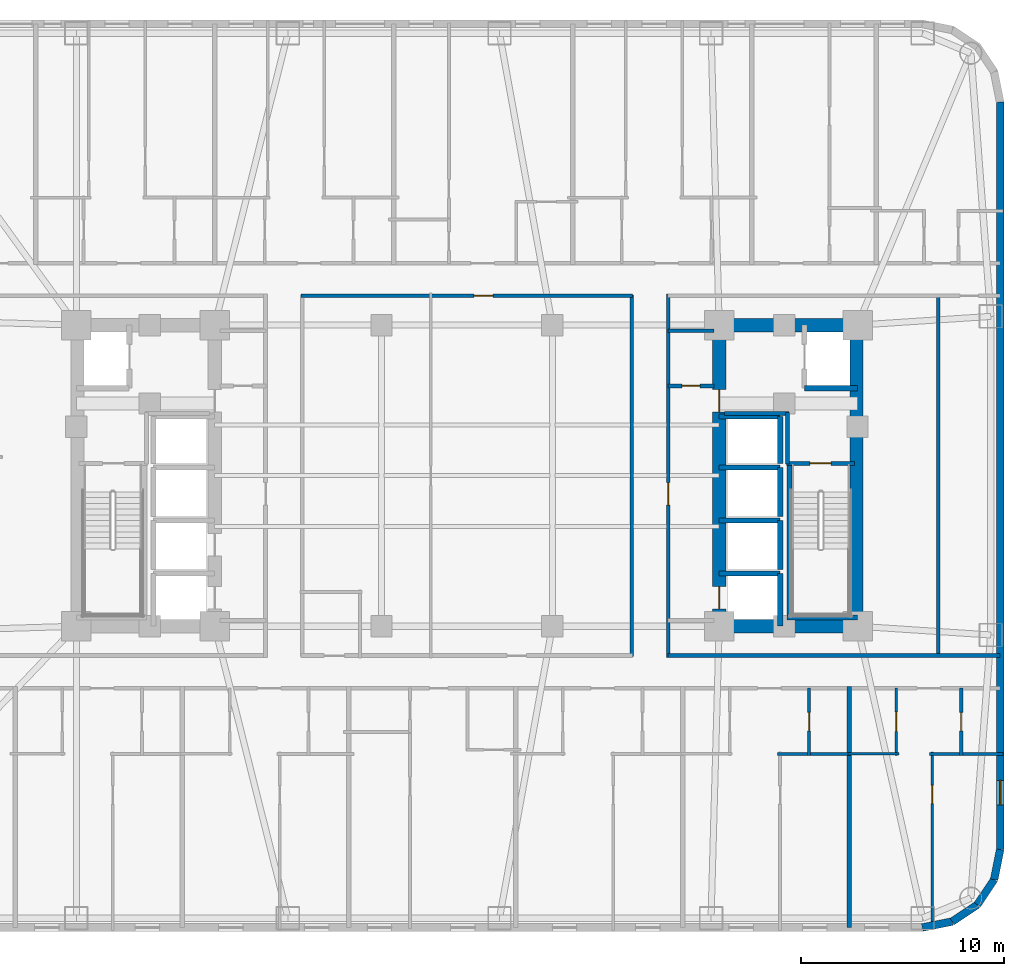
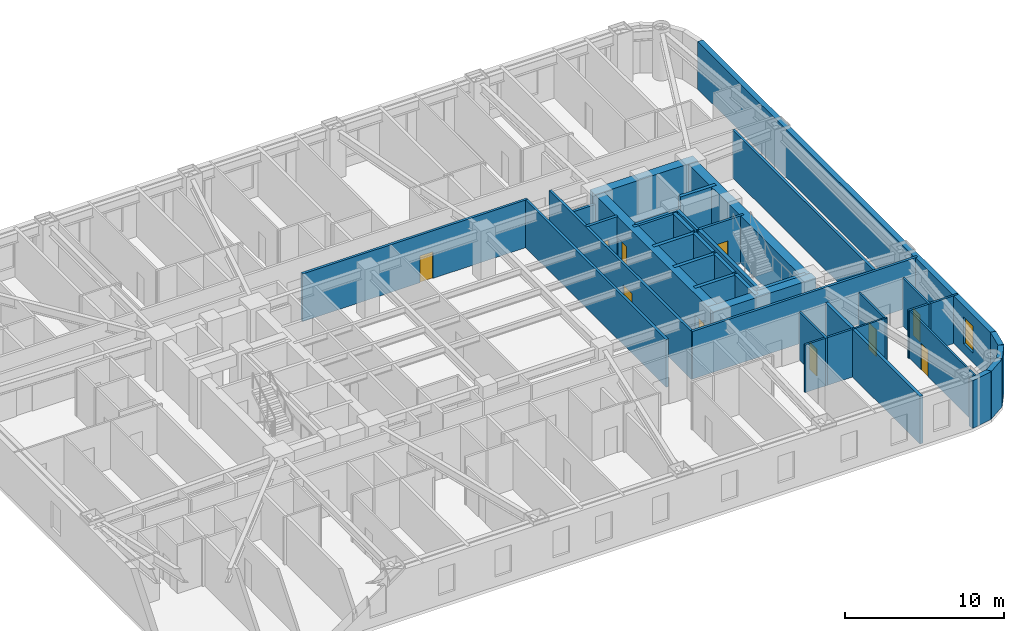
# One storey, part 6 of 12: 38 walls, 10 doors, 1 window, 11 openings.
"""IFC4 building model written with IfcOpenShell, lengths in metres."""

from ifc_helpers import new_model, si_unit, direction, frame, frame_2d, origin, place, context, subcontext, project, spatial, rectangle, extrude, material, layer, layer_set, type_object, element, fill, save


model = new_model("IFC4")

# Units and contexts
model_context = context("Model", 3, precision=1e-05, world=origin(), true_north=direction((0.0, 1.0)))
body_context = subcontext(model_context, "Body", "Model", "MODEL_VIEW")
ifc_project = project(units=[si_unit("LENGTHUNIT", "METRE"), si_unit("AREAUNIT", "SQUARE_METRE"), si_unit("VOLUMEUNIT", "CUBIC_METRE"), si_unit("PLANEANGLEUNIT", "RADIAN"), si_unit("MASSUNIT", "GRAM", prefix="KILO")], contexts=[model_context])

# Site, building, storey
site_placement = place(None, origin())
site = spatial("IfcSite", under=ifc_project, at=site_placement, CompositionType="ELEMENT")
building_placement = place(site_placement, origin())
building = spatial("IfcBuilding", under=site, at=building_placement, Name="Voryun Gate Residences", CompositionType="ELEMENT")
storey_placement = place(building_placement, frame((0.0, 0.0, 72.800048828125)))
storey = spatial("IfcBuildingStorey", under=building, at=storey_placement, Name="L17", CompositionType="ELEMENT", Elevation=72.800048828125)

# Walls
ifc_material_1 = material(Name="Concrete C60/75", Category="concrete")
ifc_layer_1 = layer(ifc_material_1, 0.64990234375, Name="CW_CORE_650")
ifc_layer_set_1 = layer_set([ifc_layer_1], Name="Concrete C60/75")
wall_type_1 = type_object("IfcWallType", Name="CW_CORE_650", PredefinedType="SHEAR", material=ifc_layer_set_1)
for number, where, z_axis, x_axis, name in (
    (1, (12.074951171875, -7.39990234375, 0.0), (0.0, 0.0, 1.0), (1.0, 0.0, 0.0), "L17 Core shear wall CW-L17-ES"),
    (2, (12.074951171875, 7.39990234375, 0.0), (0.0, 0.0, 1.0), (1.0, 0.0, 0.0), "L17 Core shear wall CW-L17-EN"),
):
    element("IfcWall", number, at=place(storey_placement, frame(where, z_axis=z_axis, x_axis=x_axis)), inside=storey, type_object=wall_type_1, Name=name, PredefinedType="SHEAR", context=body_context, shape_type="SweptSolid", body=[
        extrude(rectangle(XDim=7.449951171875, YDim=0.64990234375, at=frame_2d((3.72509765625, 0.0))), origin(), (0.0, 0.0, 1.0), 3.64990234375),
    ])

# Wall, openings, doors
wall_1_placement = place(storey_placement, frame((12.39990234375, -7.39990234375, 0.0), z_axis=(0.0, 0.0, 1.0), x_axis=(0.0, 1.0, 0.0)))
wall_1 = element("IfcWall", 3, at=wall_1_placement, inside=storey, type_object=wall_type_1, Name="L17 Core shear wall CW-L17-EW", PredefinedType="SHEAR", context=body_context, shape_type="SweptSolid", body=[
    extrude(rectangle(XDim=14.7998046875, YDim=0.64990234375, at=frame_2d((7.39990234375, 0.0))), origin(), (0.0, 0.0, 1.0), 3.64990234375),
])
opening_1_placement = place(wall_1_placement, frame((0.85009765625, 0.0, 0.0)))
opening_1 = element("IfcOpeningElement", 4, at=opening_1_placement, cuts=wall_1, Name="Opening LD2", PredefinedType="OPENING", context=body_context, shape_type="SweptSolid", body=[
    extrude(rectangle(XDim=1.10009765625, YDim=2.050048828125, at=frame_2d((0.550048828125, 1.02490234375))), frame((0.0, 0.3349609375, 0.0), z_axis=(0.0, -1.0, 0.0), x_axis=(1.0, 0.0, 0.0)), (0.0, 0.0, 1.0), 0.669921875),
])
opening_2_placement = place(wall_1_placement, frame((10.530029296875, 0.0, 0.0)))
opening_2 = element("IfcOpeningElement", 5, at=opening_2_placement, cuts=wall_1, Name="Opening D-FD60-2", PredefinedType="OPENING", context=body_context, shape_type="SweptSolid", body=[
    extrude(rectangle(XDim=1.10009765625, YDim=2.050048828125, at=frame_2d((0.550048828125, 1.02490234375))), frame((0.0, 0.3349609375, 0.0), z_axis=(0.0, -1.0, 0.0), x_axis=(1.0, 0.0, 0.0)), (0.0, 0.0, 1.0), 0.669921875),
])
ifc_material_2 = material(Name="Painted steel fire door", Category="steel")
door_type_1 = type_object("IfcDoorType", Name="DR_FD60_FFLOB_1100", OperationType="NOTDEFINED", PredefinedType="DOOR", material=ifc_material_2)
door_1_placement = place(opening_2_placement, origin())
door_1 = element("IfcDoor", 6, at=door_1_placement, inside=storey, type_object=door_type_1, Name="Door DR-L17-CLOB-E", OperationType="SINGLE_SWING_RIGHT", OverallHeight=2.050048828125, OverallWidth=1.10009765625, PredefinedType="DOOR", context=body_context, shape_type="SweptSolid", body=[
    extrude(rectangle(XDim=1.10009765625, YDim=2.050048828125, at=frame_2d((0.550048828125, 1.02490234375))), frame((0.0, 0.02490234375, 0.0), z_axis=(0.0, -1.0, 0.0), x_axis=(1.0, 0.0, 0.0)), (0.0, 0.0, 1.0), 0.050048828125),
])
fill(opening_2, door_1)
ifc_material_3 = material(Name="Anodised aluminium", Category="aluminium")
door_type_2 = type_object("IfcDoorType", Name="DR_LD_PASS_1100", OperationType="NOTDEFINED", PredefinedType="DOOR", material=ifc_material_3)
door_2_placement = place(opening_1_placement, origin())
door_2 = element("IfcDoor", 7, at=door_2_placement, inside=storey, type_object=door_type_2, Name="Lift EL-P3 sliding landing door L17", OperationType="SLIDING_TO_LEFT", OverallHeight=2.050048828125, OverallWidth=1.10009765625, PredefinedType="DOOR", context=body_context, shape_type="SweptSolid", body=[
    extrude(rectangle(XDim=1.10009765625, YDim=2.050048828125, at=frame_2d((0.550048828125, 1.02490234375))), frame((0.0, 0.02490234375, 0.0), z_axis=(0.0, -1.0, 0.0), x_axis=(1.0, 0.0, 0.0)), (0.0, 0.0, 1.0), 0.050048828125),
])
fill(opening_1, door_2)

# Wall
wall_2_placement = place(storey_placement, frame((19.14501953125, -7.39990234375, 0.0), z_axis=(0.0, 0.0, 1.0), x_axis=(0.0, 1.0, 0.0)))
element("IfcWall", 8, at=wall_2_placement, inside=storey, type_object=wall_type_1, Name="L17 Core shear wall CW-L17-EE", PredefinedType="SHEAR", context=body_context, shape_type="SweptSolid", body=[
    extrude(rectangle(XDim=14.7998046875, YDim=0.64990234375, at=frame_2d((7.39990234375, 0.0))), origin(), (0.0, 0.0, 1.0), 3.64990234375),
])

# Wall, opening, door
ifc_material_4 = material(Name="Gypsum acoustic fireboard")
ifc_layer_2 = layer(ifc_material_4, 0.179931640625, Name="W_CORR_RATED_180")
ifc_layer_set_2 = layer_set([ifc_layer_2], Name="Gypsum acoustic fireboard")
wall_type_2 = type_object("IfcWallType", Name="W_CORR_RATED_180", PredefinedType="PARTITIONING", material=ifc_layer_set_2)
wall_3_placement = place(storey_placement, frame((15.699951171875, 0.60009765625, 0.0), z_axis=(0.0, 0.0, 1.0), x_axis=(1.0, 0.0, 0.0)))
wall_3 = element("IfcWall", 9, at=wall_3_placement, inside=storey, type_object=wall_type_2, Name="Partition wall WP-L17-STV-E", PredefinedType="PARTITIONING", context=body_context, shape_type="SweptSolid", body=[
    extrude(rectangle(XDim=3.360107421875, YDim=0.179931640625, at=frame_2d((1.68017578125, 0.0))), origin(), (0.0, 0.0, 1.0), 3.64990234375),
])
opening_3_placement = place(wall_3_placement, frame((1.155029296875, 0.0, 0.0)))
opening_3 = element("IfcOpeningElement", 10, at=opening_3_placement, cuts=wall_3, Name="Opening D-FD60-1", PredefinedType="OPENING", context=body_context, shape_type="SweptSolid", body=[
    extrude(rectangle(XDim=1.050048828125, YDim=2.050048828125, at=frame_2d((0.52490234375, 1.02490234375))), frame((0.0, 0.099853515625, 0.0), z_axis=(0.0, -1.0, 0.0), x_axis=(1.0, 0.0, 0.0)), (0.0, 0.0, 1.0), 0.199951171875),
])
ifc_material_5 = material(Name="Painted steel fire door", Category="steel")
door_type_3 = type_object("IfcDoorType", Name="DR_FD60_STAIR_1050", OperationType="NOTDEFINED", PredefinedType="DOOR", material=ifc_material_5)
door_3_placement = place(opening_3_placement, origin())
door_3 = element("IfcDoor", 11, at=door_3_placement, inside=storey, type_object=door_type_3, Name="Door DR-L17-ST-E", OperationType="SINGLE_SWING_RIGHT", OverallHeight=2.050048828125, OverallWidth=1.050048828125, PredefinedType="DOOR", context=body_context, shape_type="SweptSolid", body=[
    extrude(rectangle(XDim=1.050048828125, YDim=2.050048828125, at=frame_2d((0.52490234375, 1.02490234375))), frame((0.0, 0.02490234375, 0.0), z_axis=(0.0, -1.0, 0.0), x_axis=(1.0, 0.0, 0.0)), (0.0, 0.0, 1.0), 0.050048828125),
])
fill(opening_3, door_3)

# Wall
wall_4_placement = place(storey_placement, frame((9.8798828125, 7.1201171875, 0.0), z_axis=(0.0, 0.0, 1.0), x_axis=(1.0, 0.0, 0.0)))
element("IfcWall", 12, at=wall_4_placement, inside=storey, type_object=wall_type_2, Name="Partition wall WP-L17-PLBN-E", PredefinedType="PARTITIONING", context=body_context, shape_type="SweptSolid", body=[
    extrude(rectangle(XDim=2.27001953125, YDim=0.179931640625, at=frame_2d((1.135009765625, 0.0))), origin(), (0.0, 0.0, 1.0), 2.93994140625),
])

# Wall, opening, door
wall_5_placement = place(storey_placement, frame((9.89990234375, -8.929931640625, 0.0), z_axis=(0.0, 0.0, 1.0), x_axis=(0.0, 1.0, 0.0)))
wall_5 = element("IfcWall", 13, at=wall_5_placement, inside=storey, type_object=wall_type_2, Name="Partition wall WP-L17-PLBE-FULL", PredefinedType="PARTITIONING", context=body_context, shape_type="SweptSolid", body=[
    extrude(rectangle(XDim=17.85986328125, YDim=0.179931640625, at=frame_2d((8.929931640625, 0.0))), origin(), (0.0, 0.0, 1.0), 3.64990234375),
])
opening_4_placement = place(wall_5_placement, frame((7.487060546875, 0.0, 0.0)))
opening_4 = element("IfcOpeningElement", 14, at=opening_4_placement, cuts=wall_5, Name="Opening D-FD60-2", PredefinedType="OPENING", context=body_context, shape_type="SweptSolid", body=[
    extrude(rectangle(XDim=1.10009765625, YDim=2.050048828125, at=frame_2d((0.550048828125, 1.02490234375))), frame((0.0, 0.099853515625, 0.0), z_axis=(0.0, -1.0, 0.0), x_axis=(1.0, 0.0, 0.0)), (0.0, 0.0, 1.0), 0.199951171875),
])
door_4_placement = place(opening_4_placement, origin())
door_4 = element("IfcDoor", 15, at=door_4_placement, inside=storey, type_object=door_type_1, Name="Door DR-L17-PLBE-COR", OperationType="SINGLE_SWING_RIGHT", OverallHeight=2.050048828125, OverallWidth=1.10009765625, PredefinedType="DOOR", context=body_context, shape_type="SweptSolid", body=[
    extrude(rectangle(XDim=1.10009765625, YDim=2.050048828125, at=frame_2d((0.550048828125, 1.02490234375))), frame((0.0, 0.02490234375, 0.0), z_axis=(0.0, -1.0, 0.0), x_axis=(1.0, 0.0, 0.0)), (0.0, 0.0, 1.0), 0.050048828125),
])
fill(opening_4, door_4)

# Wall
wall_6_placement = place(storey_placement, frame((9.8798828125, -8.840087890625, 0.0), z_axis=(0.0, 0.0, 1.0), x_axis=(1.0, 0.0, 0.0)))
element("IfcWall", 16, at=wall_6_placement, inside=storey, type_object=wall_type_2, Name="Partition wall WP-L17-CWING-ES", PredefinedType="PARTITIONING", context=body_context, shape_type="SweptSolid", body=[
    extrude(rectangle(XDim=16.330078125, YDim=0.179931640625, at=frame_2d((8.1650390625, 0.0))), origin(), (0.0, 0.0, 1.0), 3.64990234375),
])

# Wall, opening, door
wall_7_placement = place(storey_placement, frame((-8.14990234375, 8.840087890625, 0.0), z_axis=(0.0, 0.0, 1.0), x_axis=(1.0, 0.0, 0.0)))
wall_7 = element("IfcWall", 17, at=wall_7_placement, inside=storey, type_object=wall_type_2, Name="Partition wall WP-L17-Z1N", PredefinedType="PARTITIONING", context=body_context, shape_type="SweptSolid", body=[
    extrude(rectangle(XDim=16.2998046875, YDim=0.179931640625, at=frame_2d((8.14990234375, 0.0))), origin(), (0.0, 0.0, 1.0), 3.64990234375),
])
opening_5_placement = place(wall_7_placement, frame((8.489990234375, 0.0, 0.0)))
opening_5 = element("IfcOpeningElement", 18, at=opening_5_placement, cuts=wall_7, Name="Opening D-INT-1", PredefinedType="OPENING", context=body_context, shape_type="SweptSolid", body=[
    extrude(rectangle(XDim=0.949951171875, YDim=2.050048828125, at=frame_2d((0.47509765625, 1.02490234375))), frame((0.0, 0.099853515625, 0.0), z_axis=(0.0, -1.0, 0.0), x_axis=(1.0, 0.0, 0.0)), (0.0, 0.0, 1.0), 0.199951171875),
])
ifc_material_6 = material(Name="Architectural oak veneer")
door_type_4 = type_object("IfcDoorType", Name="DR_INT_ROOM_950", OperationType="NOTDEFINED", PredefinedType="DOOR", material=ifc_material_6)
door_5_placement = place(opening_5_placement, origin())
door_5 = element("IfcDoor", 19, at=door_5_placement, inside=storey, type_object=door_type_4, Name="Door DR-L17-CMIDZ1N", OperationType="SINGLE_SWING_LEFT", OverallHeight=2.050048828125, OverallWidth=0.949951171875, PredefinedType="DOOR", context=body_context, shape_type="SweptSolid", body=[
    extrude(rectangle(XDim=0.949951171875, YDim=2.050048828125, at=frame_2d((0.47509765625, 1.02490234375))), frame((0.0, 0.02490234375, 0.0), z_axis=(0.0, -1.0, 0.0), x_axis=(1.0, 0.0, 0.0)), (0.0, 0.0, 1.0), 0.050048828125),
])
fill(opening_5, door_5)

# Walls
wall_8_placement = place(storey_placement, frame((8.10009765625, -8.8798828125, 0.0), z_axis=(0.0, 0.0, 1.0), x_axis=(0.0, 1.0, 0.0)))
element("IfcWall", 20, at=wall_8_placement, inside=storey, type_object=wall_type_2, Name="Partition wall WP-L17-Z1E", PredefinedType="PARTITIONING", context=body_context, shape_type="SweptSolid", body=[
    extrude(rectangle(XDim=17.759765625, YDim=0.179931640625, at=frame_2d((8.8798828125, 0.0))), origin(), (0.0, 0.0, 1.0), 3.64990234375),
])
wall_9_placement = place(storey_placement, frame((23.169921875, -8.929931640625, 0.0), z_axis=(0.0, 0.0, 1.0), x_axis=(0.0, 1.0, 0.0)))
element("IfcWall", 21, at=wall_9_placement, inside=storey, type_object=wall_type_2, Name="Partition wall WP-L17-EEND", PredefinedType="PARTITIONING", context=body_context, shape_type="SweptSolid", body=[
    extrude(rectangle(XDim=17.85986328125, YDim=0.179931640625, at=frame_2d((8.929931640625, 0.0))), origin(), (0.0, 0.0, 1.0), 3.64990234375),
])

# Wall, opening, window
ifc_material_7 = material(Name="Granite masonry", Category="masonry")
ifc_layer_3 = layer(ifc_material_7, 0.3798828125, Name="W_EXT_GRANITE_380")
ifc_layer_set_3 = layer_set([ifc_layer_3], Name="Granite masonry")
wall_type_3 = type_object("IfcWallType", Name="W_EXT_GRANITE_380", PredefinedType="ELEMENTEDWALL", material=ifc_layer_set_3)
wall_10_placement = place(storey_placement, frame((26.2099609375, 18.38134765625, 0.0), z_axis=(0.0, 0.0, 1.0), x_axis=(0.0, -1.0, 0.0)))
wall_10 = element("IfcWall", 22, at=wall_10_placement, inside=storey, type_object=wall_type_3, Name="Exterior wall WEXT-L17-16", PredefinedType="ELEMENTEDWALL", context=body_context, shape_type="SweptSolid", body=[
    extrude(rectangle(XDim=36.7626953125, YDim=0.3798828125, at=frame_2d((18.38134765625, 0.0))), origin(), (0.0, 0.0, 1.0), 3.64990234375),
])
opening_6_placement = place(wall_10_placement, frame((33.362060546875, 0.0, 0.75)))
opening_6 = element("IfcOpeningElement", 23, at=opening_6_placement, cuts=wall_10, Name="Opening WN6", PredefinedType="OPENING", context=body_context, shape_type="SweptSolid", body=[
    extrude(rectangle(XDim=1.199951171875, YDim=2.050048828125, at=frame_2d((0.60009765625, 1.02490234375))), frame((0.0, 0.199951171875, 0.0), z_axis=(0.0, -1.0, 0.0), x_axis=(1.0, 0.0, 0.0)), (0.0, 0.0, 1.0), 0.39990234375),
])
ifc_material_8 = material(Name="Laminated low-E glass", Category="glass")
window_type = type_object("IfcWindowType", Name="WN_POD_SLOT_1200", PartitioningType="SINGLE_PANEL", PredefinedType="WINDOW", material=ifc_material_8)
window_placement = place(opening_6_placement, origin())
window = element("IfcWindow", 24, at=window_placement, inside=storey, type_object=window_type, Name="Window WN-L17-DWFIX-29", OverallHeight=2.050048828125, OverallWidth=1.199951171875, PartitioningType="SINGLE_PANEL", PredefinedType="WINDOW", context=body_context, shape_type="SweptSolid", body=[
    extrude(rectangle(XDim=1.199951171875, YDim=2.050048828125, at=frame_2d((0.60009765625, 1.02490234375))), frame((0.0, 0.030029296875, 0.0), z_axis=(0.0, -1.0, 0.0), x_axis=(1.0, 0.0, 0.0)), (0.0, 0.0, 1.0), 0.06005859375),
])
fill(opening_6, window)

# Walls
wall_11_placement = place(storey_placement, frame((26.2099609375, -18.38134765625, 0.0), z_axis=(0.0, 0.0, 1.0), x_axis=(-0.195086038585, -0.980786132421, 0.0)))
element("IfcWall", 25, at=wall_11_placement, inside=storey, type_object=wall_type_3, Name="Exterior wall WEXT-L17-17", PredefinedType="ELEMENTEDWALL", context=body_context, shape_type="SweptSolid", body=[
    extrude(rectangle(XDim=1.504150390625, YDim=0.3798828125, at=frame_2d((0.751953125, 0.0))), origin(), (0.0, 0.0, 1.0), 3.64990234375),
])
for number, where, z_axis, x_axis, name in (
    (26, (25.91650390625, -19.856689453125, 0.0), (0.0, 0.0, 1.0), (-0.555686231674, -0.831392092774, 0.0), "Exterior wall WEXT-L17-18"),
    (27, (25.09130859375, -21.09130859375, 0.0), (0.0, 0.0, 1.0), (-0.831392092774, -0.555686231674, 0.0), "Exterior wall WEXT-L17-19"),
):
    element("IfcWall", number, at=place(storey_placement, frame(where, z_axis=z_axis, x_axis=x_axis)), inside=storey, type_object=wall_type_3, Name=name, PredefinedType="ELEMENTEDWALL", context=body_context, shape_type="SweptSolid", body=[
        extrude(rectangle(XDim=1.485107421875, YDim=0.3798828125, at=frame_2d((0.74267578125, 0.0))), origin(), (0.0, 0.0, 1.0), 3.64990234375),
    ])
wall_12_placement = place(storey_placement, frame((23.856689453125, -21.91650390625, 0.0), z_axis=(0.0, 0.0, 1.0), x_axis=(-0.980786132421, -0.195086038585, 0.0)))
element("IfcWall", 28, at=wall_12_placement, inside=storey, type_object=wall_type_3, Name="Exterior wall WEXT-L17-20", PredefinedType="ELEMENTEDWALL", context=body_context, shape_type="SweptSolid", body=[
    extrude(rectangle(XDim=1.504150390625, YDim=0.3798828125, at=frame_2d((0.751953125, 0.0))), origin(), (0.0, 0.0, 1.0), 3.64990234375),
])
ifc_material_9 = material(Name="Concrete C40/50", Category="concrete")
ifc_layer_4 = layer(ifc_material_9, 0.199951171875, Name="W_FF_LOBBY_200")
ifc_layer_set_4 = layer_set([ifc_layer_4], Name="Concrete C40/50")
wall_type_4 = type_object("IfcWallType", Name="W_FF_LOBBY_200", PredefinedType="PARTITIONING", material=ifc_layer_set_4)
wall_13_placement = place(storey_placement, frame((15.760009765625, 0.580078125, 0.0), z_axis=(0.0, 0.0, 1.0), x_axis=(0.0, 1.0, 0.0)))
element("IfcWall", 29, at=wall_13_placement, inside=storey, type_object=wall_type_4, Name="Partition wall WP-L17-FFP0-E", PredefinedType="PARTITIONING", context=body_context, shape_type="SweptSolid", body=[
    extrude(rectangle(XDim=2.52001953125, YDim=0.199951171875, at=frame_2d((1.260009765625, 0.0))), origin(), (0.0, 0.0, 1.0), 3.64990234375),
])
wall_14_placement = place(storey_placement, frame((12.659912109375, 3.06005859375, 0.0), z_axis=(0.0, 0.0, 1.0), x_axis=(1.0, 0.0, 0.0)))
element("IfcWall", 30, at=wall_14_placement, inside=storey, type_object=wall_type_4, Name="Partition wall WP-L17-FFPS-E", PredefinedType="PARTITIONING", context=body_context, shape_type="SweptSolid", body=[
    extrude(rectangle(XDim=3.16015625, YDim=0.199951171875, at=frame_2d((1.580078125, 0.0))), origin(), (0.0, 0.0, 1.0), 3.64990234375),
])

# Wall, opening, door
wall_15_placement = place(storey_placement, frame((9.8798828125, 4.409912109375, 0.0), z_axis=(0.0, 0.0, 1.0), x_axis=(1.0, 0.0, 0.0)))
wall_15 = element("IfcWall", 31, at=wall_15_placement, inside=storey, type_object=wall_type_4, Name="Partition wall WP-L17-CSFLKS-E", PredefinedType="PARTITIONING", context=body_context, shape_type="SweptSolid", body=[
    extrude(rectangle(XDim=2.27001953125, YDim=0.199951171875, at=frame_2d((1.135009765625, 0.0))), origin(), (0.0, 0.0, 1.0), 3.64990234375),
])
opening_7_placement = place(wall_15_placement, frame((0.68505859375, 0.0, 0.0)))
opening_7 = element("IfcOpeningElement", 32, at=opening_7_placement, cuts=wall_15, Name="Opening D-FD60-4", PredefinedType="OPENING", context=body_context, shape_type="SweptSolid", body=[
    extrude(rectangle(XDim=0.89990234375, YDim=2.050048828125, at=frame_2d((0.449951171875, 1.02490234375))), frame((0.0, 0.110107421875, 0.0), z_axis=(0.0, -1.0, 0.0), x_axis=(1.0, 0.0, 0.0)), (0.0, 0.0, 1.0), 0.219970703125),
])
ifc_material_10 = material(Name="Painted steel fire door", Category="steel")
door_type_5 = type_object("IfcDoorType", Name="DR_FD60_RISER_900", OperationType="NOTDEFINED", PredefinedType="DOOR", material=ifc_material_10)
door_6_placement = place(opening_7_placement, origin())
door_6 = element("IfcDoor", 33, at=door_6_placement, inside=storey, type_object=door_type_5, Name="Door DR-L17-CSFLK-E", OperationType="SINGLE_SWING_RIGHT", OverallHeight=2.050048828125, OverallWidth=0.89990234375, PredefinedType="DOOR", context=body_context, shape_type="SweptSolid", body=[
    extrude(rectangle(XDim=0.89990234375, YDim=2.050048828125, at=frame_2d((0.449951171875, 1.02490234375))), frame((0.0, 0.02490234375, 0.0), z_axis=(0.0, -1.0, 0.0), x_axis=(1.0, 0.0, 0.0)), (0.0, 0.0, 1.0), 0.050048828125),
])
fill(opening_7, door_6)

# Walls
ifc_material_11 = material(Name="Concrete C40/50", Category="concrete")
ifc_layer_5 = layer(ifc_material_11, 0.219970703125, Name="W_PARTY_ACOUSTIC_220")
ifc_layer_set_5 = layer_set([ifc_layer_5], Name="Concrete C40/50")
wall_type_5 = type_object("IfcWallType", Name="W_PARTY_ACOUSTIC_220", PredefinedType="PARTITIONING", material=ifc_layer_set_5)
wall_16_placement = place(storey_placement, frame((18.800048828125, -22.2099609375, 0.0), z_axis=(0.0, 0.0, 1.0), x_axis=(0.0, 1.0, 0.0)))
element("IfcWall", 34, at=wall_16_placement, inside=storey, type_object=wall_type_5, Name="Partition wall WP-L17-SPTY-7", PredefinedType="PARTITIONING", context=body_context, shape_type="SweptSolid", body=[
    extrude(rectangle(XDim=11.83984375, YDim=0.219970703125, at=frame_2d((5.919921875, 0.0))), origin(), (0.0, 0.0, 1.0), 3.64990234375),
])
ifc_material_12 = material(Name="Concrete C50/60", Category="concrete")
ifc_layer_6 = layer(ifc_material_12, 0.25, Name="W_SHAFT_RC250")
ifc_layer_set_6 = layer_set([ifc_layer_6], Name="Concrete C50/60")
wall_type_6 = type_object("IfcWallType", Name="W_SHAFT_RC250", PredefinedType="SOLIDWALL", material=ifc_layer_set_6)
wall_17_placement = place(storey_placement, frame((15.860107421875, -7.0849609375, 0.0), z_axis=(0.0, 0.0, 1.0), x_axis=(0.0, 1.0, 0.0)))
element("IfcWall", 35, at=wall_17_placement, inside=storey, type_object=wall_type_6, Name="L17 Stair shaft structural wall E-STL", PredefinedType="SOLIDWALL", context=body_context, shape_type="SweptSolid", body=[
    extrude(rectangle(XDim=7.68505859375, YDim=0.25, at=frame_2d((3.842529296875, 0.0))), origin(), (0.0, 0.0, 1.0), 3.64990234375),
])
wall_18_placement = place(storey_placement, frame((15.739990234375, -6.965087890625, 0.0), z_axis=(0.0, 0.0, 1.0), x_axis=(1.0, 0.0, 0.0)))
element("IfcWall", 36, at=wall_18_placement, inside=storey, type_object=wall_type_6, Name="L17 Stair shaft structural wall E-STS", PredefinedType="SOLIDWALL", context=body_context, shape_type="SweptSolid", body=[
    extrude(rectangle(XDim=3.4599609375, YDim=0.25, at=frame_2d((1.72998046875, 0.0))), origin(), (0.0, 0.0, 1.0), 3.64990234375),
])
for number, where, z_axis, x_axis, name in (
    (37, (16.60009765625, 4.300048828125, 0.0), (0.0, 0.0, 1.0), (1.0, 0.0, 0.0), "Lift shaft wall WSH-L17-EL-FF-E1-S"),
    (38, (15.39990234375, -7.39990234375, 0.0), (0.0, 0.0, 1.0), (0.0, 1.0, 0.0), "Lift shaft wall WSH-L17-EL-P3-E"),
):
    element("IfcWall", number, at=place(storey_placement, frame(where, z_axis=z_axis, x_axis=x_axis)), inside=storey, type_object=wall_type_6, Name=name, PredefinedType="SOLIDWALL", context=body_context, shape_type="SweptSolid", body=[
        extrude(rectangle(XDim=2.599853515625, YDim=0.25, at=frame_2d((1.2998046875, 0.0))), origin(), (0.0, 0.0, 1.0), 3.64990234375),
    ])
wall_19_placement = place(storey_placement, frame((15.39990234375, -4.800048828125, 0.0), z_axis=(0.0, 0.0, 1.0), x_axis=(-1.0, 0.0, 0.0)))
element("IfcWall", 39, at=wall_19_placement, inside=storey, type_object=wall_type_6, Name="Lift shaft wall WSH-L17-EL-P3-N", PredefinedType="SOLIDWALL", context=body_context, shape_type="SweptSolid", body=[
    extrude(rectangle(XDim=3.0, YDim=0.25, at=frame_2d((1.5, 0.0))), origin(), (0.0, 0.0, 1.0), 3.64990234375),
])
wall_20_placement = place(storey_placement, frame((15.39990234375, -4.60009765625, 0.0), z_axis=(0.0, 0.0, 1.0), x_axis=(0.0, 1.0, 0.0)))
element("IfcWall", 40, at=wall_20_placement, inside=storey, type_object=wall_type_6, Name="Lift shaft wall WSH-L17-EL-P5-E", PredefinedType="SOLIDWALL", context=body_context, shape_type="SweptSolid", body=[
    extrude(rectangle(XDim=2.400146484375, YDim=0.25, at=frame_2d((1.2001953125, 0.0))), origin(), (0.0, 0.0, 1.0), 3.64990234375),
])
wall_21_placement = place(storey_placement, frame((15.39990234375, -2.199951171875, 0.0), z_axis=(0.0, 0.0, 1.0), x_axis=(-1.0, 0.0, 0.0)))
element("IfcWall", 41, at=wall_21_placement, inside=storey, type_object=wall_type_6, Name="Lift shaft wall WSH-L17-EL-P5-N", PredefinedType="SOLIDWALL", context=body_context, shape_type="SweptSolid", body=[
    extrude(rectangle(XDim=3.0, YDim=0.25, at=frame_2d((1.5, 0.0))), origin(), (0.0, 0.0, 1.0), 3.64990234375),
])
wall_22_placement = place(storey_placement, frame((15.39990234375, -2.0, 0.0), z_axis=(0.0, 0.0, 1.0), x_axis=(0.0, 1.0, 0.0)))
element("IfcWall", 42, at=wall_22_placement, inside=storey, type_object=wall_type_6, Name="Lift shaft wall WSH-L17-EL-P6-E", PredefinedType="SOLIDWALL", context=body_context, shape_type="SweptSolid", body=[
    extrude(rectangle(XDim=2.39990234375, YDim=0.25, at=frame_2d((1.199951171875, 0.0))), origin(), (0.0, 0.0, 1.0), 3.64990234375),
])
wall_23_placement = place(storey_placement, frame((15.39990234375, 0.39990234375, 0.0), z_axis=(0.0, 0.0, 1.0), x_axis=(-1.0, 0.0, 0.0)))
element("IfcWall", 43, at=wall_23_placement, inside=storey, type_object=wall_type_6, Name="Lift shaft wall WSH-L17-EL-P6-N", PredefinedType="SOLIDWALL", context=body_context, shape_type="SweptSolid", body=[
    extrude(rectangle(XDim=3.0, YDim=0.25, at=frame_2d((1.5, 0.0))), origin(), (0.0, 0.0, 1.0), 3.64990234375),
])
wall_24_placement = place(storey_placement, frame((15.39990234375, 0.60009765625, 0.0), z_axis=(0.0, 0.0, 1.0), x_axis=(0.0, 1.0, 0.0)))
element("IfcWall", 44, at=wall_24_placement, inside=storey, type_object=wall_type_6, Name="Lift shaft wall WSH-L17-EL-P8-E", PredefinedType="SOLIDWALL", context=body_context, shape_type="SweptSolid", body=[
    extrude(rectangle(XDim=2.2998046875, YDim=0.25, at=frame_2d((1.14990234375, 0.0))), origin(), (0.0, 0.0, 1.0), 3.64990234375),
])
wall_25_placement = place(storey_placement, frame((15.39990234375, 2.89990234375, 0.0), z_axis=(0.0, 0.0, 1.0), x_axis=(-1.0, 0.0, 0.0)))
element("IfcWall", 45, at=wall_25_placement, inside=storey, type_object=wall_type_6, Name="Lift shaft wall WSH-L17-EL-P8-N", PredefinedType="SOLIDWALL", context=body_context, shape_type="SweptSolid", body=[
    extrude(rectangle(XDim=3.0, YDim=0.25, at=frame_2d((1.5, 0.0))), origin(), (0.0, 0.0, 1.0), 3.64990234375),
])

# Wall, opening, door
ifc_material_13 = material(Name="Gypsum acoustic partition")
ifc_layer_7 = layer(ifc_material_13, 0.125, Name="W_UNIT_PART_125")
ifc_layer_set_7 = layer_set([ifc_layer_7], Name="Gypsum acoustic partition")
wall_type_7 = type_object("IfcWallType", Name="W_UNIT_PART_125", PredefinedType="PARTITIONING", material=ifc_layer_set_7)
wall_26_placement = place(storey_placement, frame((22.867919921875, -22.26611328125, 0.0), z_axis=(0.0, 0.0, 1.0), x_axis=(0.0, 1.0, 0.0)))
wall_26 = element("IfcWall", 46, at=wall_26_placement, inside=storey, type_object=wall_type_7, Name="Partition wall WP-L17-S8-OVR", PredefinedType="PARTITIONING", context=body_context, shape_type="SweptSolid", body=[
    extrude(rectangle(XDim=8.676025390625, YDim=0.125, at=frame_2d((4.337890625, 0.0))), origin(), (0.0, 0.0, 1.0), 3.64990234375),
])
opening_8_placement = place(wall_26_placement, frame((6.143798828125, 0.0, 0.0)))
opening_8 = element("IfcOpeningElement", 47, at=opening_8_placement, cuts=wall_26, Name="Opening D-INT-2", PredefinedType="OPENING", context=body_context, shape_type="SweptSolid", body=[
    extrude(rectangle(XDim=0.89990234375, YDim=2.050048828125, at=frame_2d((0.449951171875, 1.02490234375))), frame((0.0, 0.072509765625, 0.0), z_axis=(0.0, -1.0, 0.0), x_axis=(1.0, 0.0, 0.0)), (0.0, 0.0, 1.0), 0.14501953125),
])
ifc_material_14 = material(Name="Architectural oak veneer")
door_type_6 = type_object("IfcDoorType", Name="DR_INT_BATH_900", OperationType="NOTDEFINED", PredefinedType="DOOR", material=ifc_material_14)
door_7_placement = place(opening_8_placement, origin())
door_7 = element("IfcDoor", 48, at=door_7_placement, inside=storey, type_object=door_type_6, Name="Door DR-L17-S8-DMB", OperationType="SINGLE_SWING_RIGHT", OverallHeight=2.050048828125, OverallWidth=0.89990234375, PredefinedType="DOOR", context=body_context, shape_type="SweptSolid", body=[
    extrude(rectangle(XDim=0.89990234375, YDim=2.050048828125, at=frame_2d((0.449951171875, 1.02490234375))), frame((0.0, 0.02490234375, 0.0), z_axis=(0.0, -1.0, 0.0), x_axis=(1.0, 0.0, 0.0)), (0.0, 0.0, 1.0), 0.050048828125),
])
fill(opening_8, door_7)

wall_27_placement = place(storey_placement, frame((21.110107421875, -13.75, 0.0), z_axis=(0.0, 0.0, 1.0), x_axis=(0.0, 1.0, 0.0)))
wall_27 = element("IfcWall", 49, at=wall_27_placement, inside=storey, type_object=wall_type_7, Name="Partition wall WP-L17-S8-IVK", PredefinedType="PARTITIONING", context=body_context, shape_type="SweptSolid", body=[
    extrude(rectangle(XDim=3.320068359375, YDim=0.125, at=frame_2d((1.66015625, 0.0))), origin(), (0.0, 0.0, 1.0), 3.64990234375),
])
opening_9_placement = place(wall_27_placement, frame((1.18505859375, 0.0, 0.0)))
opening_9 = element("IfcOpeningElement", 50, at=opening_9_placement, cuts=wall_27, Name="Opening D-INT-1", PredefinedType="OPENING", context=body_context, shape_type="SweptSolid", body=[
    extrude(rectangle(XDim=0.949951171875, YDim=2.050048828125, at=frame_2d((0.47509765625, 1.02490234375))), frame((0.0, 0.072509765625, 0.0), z_axis=(0.0, -1.0, 0.0), x_axis=(1.0, 0.0, 0.0)), (0.0, 0.0, 1.0), 0.14501953125),
])
door_8_placement = place(opening_9_placement, origin())
door_8 = element("IfcDoor", 51, at=door_8_placement, inside=storey, type_object=door_type_4, Name="Door DR-L17-S8-DK", OperationType="SINGLE_SWING_LEFT", OverallHeight=2.050048828125, OverallWidth=0.949951171875, PredefinedType="DOOR", context=body_context, shape_type="SweptSolid", body=[
    extrude(rectangle(XDim=0.949951171875, YDim=2.050048828125, at=frame_2d((0.47509765625, 1.02490234375))), frame((0.0, 0.02490234375, 0.0), z_axis=(0.0, -1.0, 0.0), x_axis=(1.0, 0.0, 0.0)), (0.0, 0.0, 1.0), 0.050048828125),
])
fill(opening_9, door_8)

# Walls
wall_28_placement = place(storey_placement, frame((18.72509765625, -13.669921875, 0.0), z_axis=(0.0, 0.0, 1.0), x_axis=(1.0, 0.0, 0.0)))
element("IfcWall", 52, at=wall_28_placement, inside=storey, type_object=wall_type_7, Name="Partition wall WP-L17-S8-HZK", PredefinedType="PARTITIONING", context=body_context, shape_type="SweptSolid", body=[
    extrude(rectangle(XDim=2.5048828125, YDim=0.125, at=frame_2d((1.25244140625, 0.0))), origin(), (0.0, 0.0, 1.0), 3.64990234375),
])
ifc_material_15 = material(Name="Gypsum moisture-resistant partition")
ifc_layer_8 = layer(ifc_material_15, 0.14990234375, Name="W_WET_PLUMB_150")
ifc_layer_set_8 = layer_set([ifc_layer_8], Name="Gypsum moisture-resistant partition")
wall_type_8 = type_object("IfcWallType", Name="W_WET_PLUMB_150", PredefinedType="PLUMBINGWALL", material=ifc_layer_set_8)
wall_29_placement = place(storey_placement, frame((15.27001953125, -13.669921875, 0.0), z_axis=(0.0, 0.0, 1.0), x_axis=(1.0, 0.0, 0.0)))
element("IfcWall", 53, at=wall_29_placement, inside=storey, type_object=wall_type_8, Name="Partition wall WP-L17-S7-HZB", PredefinedType="PLUMBINGWALL", context=body_context, shape_type="SweptSolid", body=[
    extrude(rectangle(XDim=3.60498046875, YDim=0.14990234375, at=frame_2d((1.802490234375, 0.0))), origin(), (0.0, 0.0, 1.0), 3.64990234375),
])

# Wall, opening, door
wall_30_placement = place(storey_placement, frame((16.820068359375, -13.75, 0.0), z_axis=(0.0, 0.0, 1.0), x_axis=(0.0, 1.0, 0.0)))
wall_30 = element("IfcWall", 54, at=wall_30_placement, inside=storey, type_object=wall_type_8, Name="Partition wall WP-L17-S7-IVB", PredefinedType="PLUMBINGWALL", context=body_context, shape_type="SweptSolid", body=[
    extrude(rectangle(XDim=3.320068359375, YDim=0.14990234375, at=frame_2d((1.66015625, 0.0))), origin(), (0.0, 0.0, 1.0), 3.64990234375),
])
opening_10_placement = place(wall_30_placement, frame((1.2099609375, 0.0, 0.0)))
opening_10 = element("IfcOpeningElement", 55, at=opening_10_placement, cuts=wall_30, Name="Opening D-INT-2", PredefinedType="OPENING", context=body_context, shape_type="SweptSolid", body=[
    extrude(rectangle(XDim=0.89990234375, YDim=2.050048828125, at=frame_2d((0.449951171875, 1.02490234375))), frame((0.0, 0.0849609375, 0.0), z_axis=(0.0, -1.0, 0.0), x_axis=(1.0, 0.0, 0.0)), (0.0, 0.0, 1.0), 0.169921875),
])
door_9_placement = place(opening_10_placement, origin())
door_9 = element("IfcDoor", 56, at=door_9_placement, inside=storey, type_object=door_type_6, Name="Door DR-L17-S7-DB", OperationType="SINGLE_SWING_RIGHT", OverallHeight=2.050048828125, OverallWidth=0.89990234375, PredefinedType="DOOR", context=body_context, shape_type="SweptSolid", body=[
    extrude(rectangle(XDim=0.89990234375, YDim=2.050048828125, at=frame_2d((0.449951171875, 1.02490234375))), frame((0.0, 0.02490234375, 0.0), z_axis=(0.0, -1.0, 0.0), x_axis=(1.0, 0.0, 0.0)), (0.0, 0.0, 1.0), 0.050048828125),
])
fill(opening_10, door_9)

# Wall
wall_31_placement = place(storey_placement, frame((22.748046875, -13.669921875, 0.0), z_axis=(0.0, 0.0, 1.0), x_axis=(1.0, 0.0, 0.0)))
element("IfcWall", 57, at=wall_31_placement, inside=storey, type_object=wall_type_8, Name="Partition wall WP-L17-S8-HZB", PredefinedType="PLUMBINGWALL", context=body_context, shape_type="SweptSolid", body=[
    extrude(rectangle(XDim=3.612060546875, YDim=0.14990234375, at=frame_2d((1.80615234375, 0.0))), origin(), (0.0, 0.0, 1.0), 3.64990234375),
])

# Wall, opening, door
wall_32_placement = place(storey_placement, frame((24.298095703125, -13.75, 0.0), z_axis=(0.0, 0.0, 1.0), x_axis=(0.0, 1.0, 0.0)))
wall_32 = element("IfcWall", 58, at=wall_32_placement, inside=storey, type_object=wall_type_8, Name="Partition wall WP-L17-S8-IVB", PredefinedType="PLUMBINGWALL", context=body_context, shape_type="SweptSolid", body=[
    extrude(rectangle(XDim=3.320068359375, YDim=0.14990234375, at=frame_2d((1.66015625, 0.0))), origin(), (0.0, 0.0, 1.0), 3.64990234375),
])
opening_11_placement = place(wall_32_placement, frame((1.2099609375, 0.0, 0.0)))
opening_11 = element("IfcOpeningElement", 59, at=opening_11_placement, cuts=wall_32, Name="Opening D-INT-2", PredefinedType="OPENING", context=body_context, shape_type="SweptSolid", body=[
    extrude(rectangle(XDim=0.89990234375, YDim=2.050048828125, at=frame_2d((0.449951171875, 1.02490234375))), frame((0.0, 0.0849609375, 0.0), z_axis=(0.0, -1.0, 0.0), x_axis=(1.0, 0.0, 0.0)), (0.0, 0.0, 1.0), 0.169921875),
])
door_10_placement = place(opening_11_placement, origin())
door_10 = element("IfcDoor", 60, at=door_10_placement, inside=storey, type_object=door_type_6, Name="Door DR-L17-S8-DB", OperationType="SINGLE_SWING_RIGHT", OverallHeight=2.050048828125, OverallWidth=0.89990234375, PredefinedType="DOOR", context=body_context, shape_type="SweptSolid", body=[
    extrude(rectangle(XDim=0.89990234375, YDim=2.050048828125, at=frame_2d((0.449951171875, 1.02490234375))), frame((0.0, 0.02490234375, 0.0), z_axis=(0.0, -1.0, 0.0), x_axis=(1.0, 0.0, 0.0)), (0.0, 0.0, 1.0), 0.050048828125),
])
fill(opening_11, door_10)

save(model, "model.ifc")
